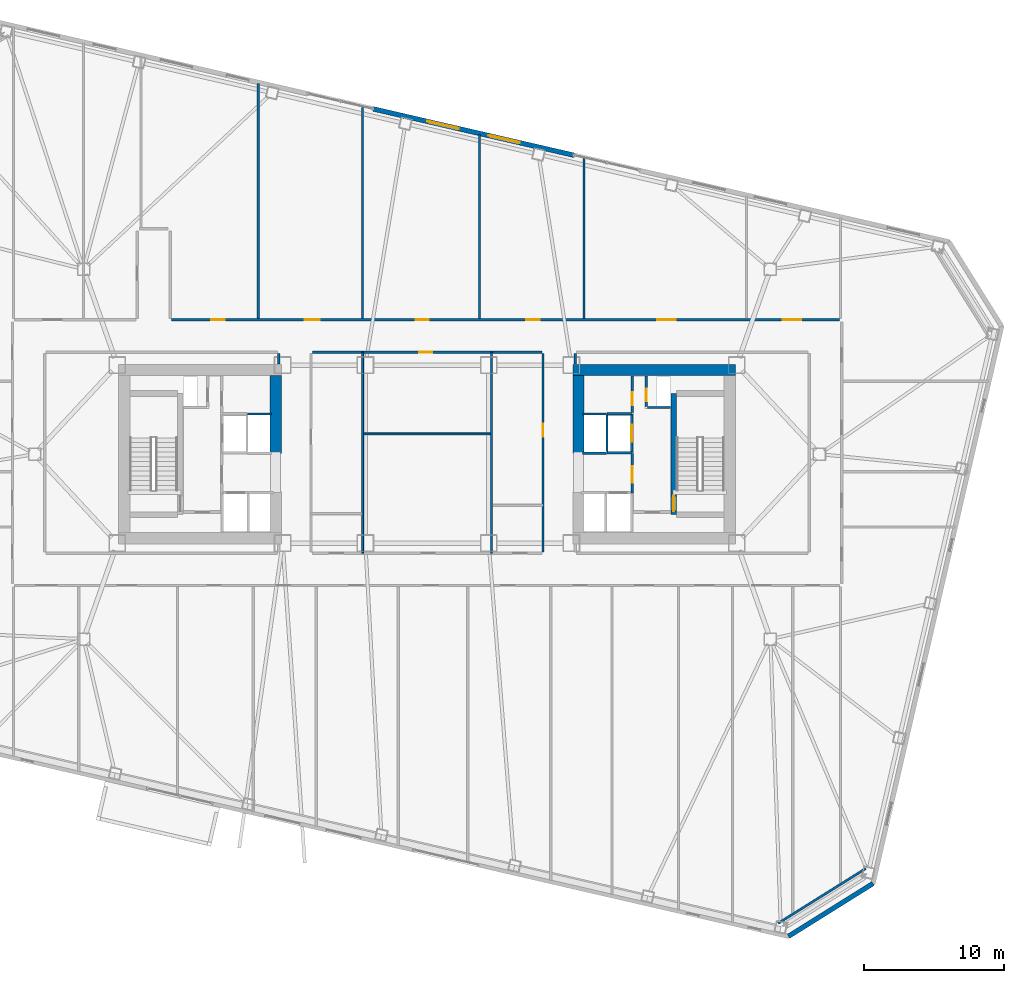
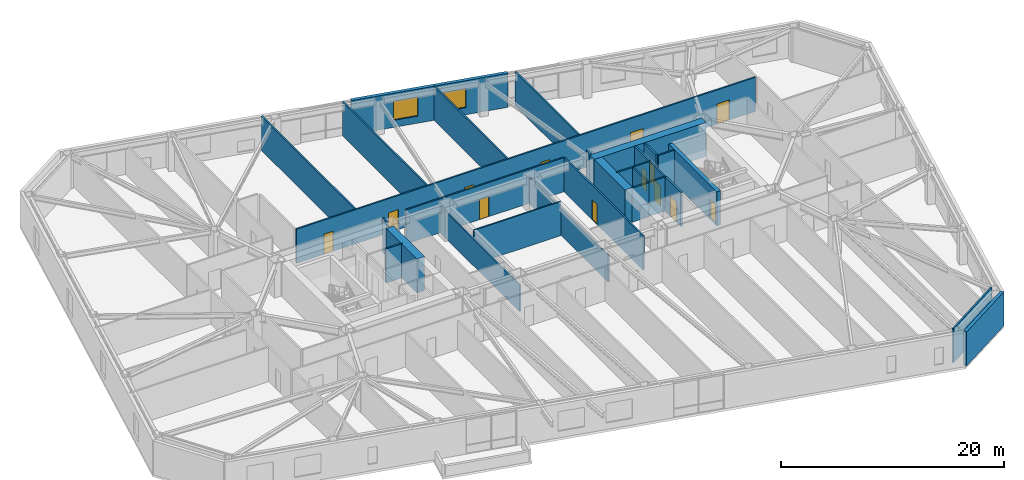
# One storey, part 15 of 22: 30 walls, 13 doors, 2 windows, 15 openings.
"""IFC4 building model written with IfcOpenShell, lengths in metres."""

from ifc_helpers import new_model, si_unit, direction, frame, frame_2d, origin, place, context, subcontext, project, spatial, rectangle, extrude, material, layer, layer_set, type_object, element, fill, save


model = new_model("IFC4")

# Units and contexts
model_context = context("Model", 3, precision=1e-05, world=origin(), true_north=direction((0.0, 1.0)))
body_context = subcontext(model_context, "Body", "Model", "MODEL_VIEW")
ifc_project = project(units=[si_unit("LENGTHUNIT", "METRE"), si_unit("AREAUNIT", "SQUARE_METRE"), si_unit("VOLUMEUNIT", "CUBIC_METRE"), si_unit("PLANEANGLEUNIT", "RADIAN"), si_unit("MASSUNIT", "GRAM", prefix="KILO")], contexts=[model_context])

# Site, building, storey
site_placement = place(None, origin())
site = spatial("IfcSite", under=ifc_project, at=site_placement, CompositionType="ELEMENT")
building_placement = place(site_placement, origin())
building = spatial("IfcBuilding", under=site, at=building_placement, Name="Tavrogorsk Clinical Tower", CompositionType="ELEMENT")
storey_placement = place(building_placement, frame((0.0, 0.0, 55.39990234375)))
storey = spatial("IfcBuildingStorey", under=building, at=storey_placement, Name="L11", CompositionType="ELEMENT", Elevation=55.39990234375)

# Wall, opening, door
ifc_material_1 = material(Name="Concrete B60", Category="concrete")
ifc_layer_1 = layer(ifc_material_1, 0.199951171875)
ifc_layer_set_1 = layer_set([ifc_layer_1], Name="Concrete B60")
wall_type_1 = type_object("IfcWallType", Name="CoreFireWall_200", PredefinedType="SOLIDWALL", material=ifc_layer_set_1)
wall_1_placement = place(storey_placement, frame((14.639892578125, 2.9599609375, 0.0), z_axis=(0.0, 0.0, 1.0), x_axis=(0.0, 1.0, 0.0)))
wall_1 = element("IfcWall", 1, at=wall_1_placement, inside=storey, type_object=wall_type_1, Name="L11 Core East North Core Room East Wall", PredefinedType="SOLIDWALL", context=body_context, shape_type="SweptSolid", body=[
    extrude(rectangle(XDim=2.60009765625, YDim=0.199951171875, at=frame_2d((1.300048828125, 0.0))), origin(), (0.0, 0.0, 1.0), 3.739990234375),
])
opening_1_placement = place(wall_1_placement, frame((0.52001953125, 0.0, 0.0)))
opening_1 = element("IfcOpeningElement", 2, at=opening_1_placement, cuts=wall_1, Name="Opening ID-02", PredefinedType="OPENING", context=body_context, shape_type="SweptSolid", body=[
    extrude(rectangle(XDim=0.949951171875, YDim=2.199951171875, at=frame_2d((0.47509765625, 1.10009765625))), frame((0.0, 0.10986328125, 0.0), z_axis=(0.0, -1.0, 0.0), x_axis=(1.0, 0.0, 0.0)), (0.0, 0.0, 1.0), 0.219970703125),
])
ifc_material_2 = material(Name="Laminated timber leaf on aluminium frame", Category="wood")
door_type_1 = type_object("IfcDoorType", Name="InteriorDoor_ID02_950", OperationType="NOTDEFINED", PredefinedType="DOOR", material=ifc_material_2)
door_1_placement = place(opening_1_placement, origin())
door_1 = element("IfcDoor", 3, at=door_1_placement, inside=storey, type_object=door_type_1, Name="L11 Core East Core Telemetry Room Door", OperationType="SINGLE_SWING_LEFT", OverallHeight=2.199951171875, OverallWidth=0.949951171875, PredefinedType="DOOR", context=body_context, shape_type="SweptSolid", body=[
    extrude(rectangle(XDim=0.949951171875, YDim=2.199951171875, at=frame_2d((0.47509765625, 1.10009765625))), frame((0.0, 0.02490234375, 0.0), z_axis=(0.0, -1.0, 0.0), x_axis=(1.0, 0.0, 0.0)), (0.0, 0.0, 1.0), 0.050048828125),
])
fill(opening_1, door_1)

wall_2_placement = place(storey_placement, frame((14.639892578125, -2.780029296875, 0.0), z_axis=(0.0, 0.0, 1.0), x_axis=(0.0, 1.0, 0.0)))
wall_2 = element("IfcWall", 4, at=wall_2_placement, inside=storey, type_object=wall_type_1, Name="L11 Core East Firefighting Lobby Fire Wall", PredefinedType="SOLIDWALL", context=body_context, shape_type="SweptSolid", body=[
    extrude(rectangle(XDim=2.820068359375, YDim=0.199951171875, at=frame_2d((1.41015625, 0.0))), origin(), (0.0, 0.0, 1.0), 3.739990234375),
])
opening_2_placement = place(wall_2_placement, frame((0.72998046875, 0.0, 0.0)))
opening_2 = element("IfcOpeningElement", 5, at=opening_2_placement, cuts=wall_2, Name="Opening FD-01", PredefinedType="OPENING", context=body_context, shape_type="SweptSolid", body=[
    extrude(rectangle(XDim=1.199951171875, YDim=2.199951171875, at=frame_2d((0.60009765625, 1.10009765625))), frame((0.0, 0.10986328125, 0.0), z_axis=(0.0, -1.0, 0.0), x_axis=(1.0, 0.0, 0.0)), (0.0, 0.0, 1.0), 0.219970703125),
])
ifc_material_3 = material(Name="Galvanised steel fire-rated door assembly", Category="steel")
door_type_2 = type_object("IfcDoorType", Name="FireDoor_FD01_1200", OperationType="NOTDEFINED", PredefinedType="DOOR", material=ifc_material_3)
door_2_placement = place(opening_2_placement, origin())
door_2 = element("IfcDoor", 6, at=door_2_placement, inside=storey, type_object=door_type_2, Name="L11 Core East Firefighting Lobby Entry Door", OperationType="SINGLE_SWING_RIGHT", OverallHeight=2.199951171875, OverallWidth=1.199951171875, PredefinedType="DOOR", context=body_context, shape_type="SweptSolid", body=[
    extrude(rectangle(XDim=1.199951171875, YDim=2.199951171875, at=frame_2d((0.60009765625, 1.10009765625))), frame((0.0, 0.02490234375, 0.0), z_axis=(0.0, -1.0, 0.0), x_axis=(1.0, 0.0, 0.0)), (0.0, 0.0, 1.0), 0.050048828125),
])
fill(opening_2, door_2)

# Walls
ifc_material_4 = material(Name="Lightweight concrete blockwork B15", Category="masonry")
ifc_layer_2 = layer(ifc_material_4, 0.139892578125)
ifc_layer_set_2 = layer_set([ifc_layer_2], Name="Lightweight concrete blockwork B15")
wall_type_2 = type_object("IfcWallType", Name="PartitionWall_140", PredefinedType="PARTITIONING", material=ifc_layer_set_2)
for number, where, z_axis, x_axis, name in (
    (7, (-4.60009765625, -7.06494140625, 0.0), (0.0, 0.0, 1.0), (0.0, 1.0, 0.0), "L11 Central Spine Partition 1"),
    (8, (4.60009765625, -7.06494140625, 0.0), (0.0, 0.0, 1.0), (0.0, 1.0, 0.0), "L11 Central Spine Partition 2"),
):
    element("IfcWall", number, at=place(storey_placement, frame(where, z_axis=z_axis, x_axis=x_axis)), inside=storey, type_object=wall_type_2, Name=name, PredefinedType="PARTITIONING", context=body_context, shape_type="SweptSolid", body=[
        extrude(rectangle(XDim=14.329833984375, YDim=0.139892578125, at=frame_2d((7.1650390625, 0.0))), origin(), (0.0, 0.0, 1.0), 2.93505859375),
    ])
wall_3_placement = place(storey_placement, frame((-4.52490234375, 1.449951171875, 0.0), z_axis=(0.0, 0.0, 1.0), x_axis=(1.0, 0.0, 0.0)))
element("IfcWall", 9, at=wall_3_placement, inside=storey, type_object=wall_type_2, Name="L11 Central Spine Partition 3", PredefinedType="PARTITIONING", context=body_context, shape_type="SweptSolid", body=[
    extrude(rectangle(XDim=9.0498046875, YDim=0.139892578125, at=frame_2d((4.52490234375, 0.0))), origin(), (0.0, 0.0, 1.0), 3.739990234375),
])
ifc_material_5 = material(Name="Lightweight concrete blockwork B15", Category="masonry")
ifc_layer_3 = layer(ifc_material_5, 0.159912109375)
ifc_layer_set_3 = layer_set([ifc_layer_3], Name="Lightweight concrete blockwork B15")
wall_type_3 = type_object("IfcWallType", Name="PartitionWall_160", PredefinedType="PARTITIONING", material=ifc_layer_set_3)
wall_4_placement = place(storey_placement, frame((25.0595703125, -33.46826171875, 0.0), z_axis=(0.0, 0.0, 1.0), x_axis=(0.848043064089, 0.529927317139, 0.0)))
element("IfcWall", 10, at=wall_4_placement, inside=storey, type_object=wall_type_3, Name="L11 Corner Exoskeleton Brace Furring Wall 1", PredefinedType="PARTITIONING", context=body_context, shape_type="SweptSolid", body=[
    extrude(rectangle(XDim=7.353759765625, YDim=0.159912109375, at=frame_2d((3.6767578125, 0.0))), origin(), (0.0, 0.0, 1.0), 3.739990234375),
])

# Wall, openings, doors
wall_5_placement = place(storey_placement, frame((-18.235107421875, 9.580078125, 0.0), z_axis=(0.0, 0.0, 1.0), x_axis=(1.0, 0.0, 0.0)))
wall_5 = element("IfcWall", 11, at=wall_5_placement, inside=storey, type_object=wall_type_3, Name="L11 Corridor Partition 06", PredefinedType="PARTITIONING", context=body_context, shape_type="SweptSolid", body=[
    extrude(rectangle(XDim=47.650146484375, YDim=0.159912109375, at=frame_2d((23.8251953125, 0.0))), origin(), (0.0, 0.0, 1.0), 3.739990234375),
])
opening_3_placement = place(wall_5_placement, frame((2.85400390625, 0.0, 0.0)))
opening_3 = element("IfcOpeningElement", 12, at=opening_3_placement, cuts=wall_5, Name="Opening ID-02", PredefinedType="OPENING", context=body_context, shape_type="SweptSolid", body=[
    extrude(rectangle(XDim=0.949951171875, YDim=2.199951171875, at=frame_2d((0.47509765625, 1.10009765625))), frame((0.0, 0.08984375, 0.0), z_axis=(0.0, -1.0, 0.0), x_axis=(1.0, 0.0, 0.0)), (0.0, 0.0, 1.0), 0.179931640625),
])
opening_4_placement = place(wall_5_placement, frame((9.52001953125, 0.0, 0.0)))
opening_4 = element("IfcOpeningElement", 13, at=opening_4_placement, cuts=wall_5, Name="Opening ID-04", PredefinedType="OPENING", context=body_context, shape_type="SweptSolid", body=[
    extrude(rectangle(XDim=1.050048828125, YDim=2.199951171875, at=frame_2d((0.52490234375, 1.10009765625))), frame((0.0, 0.08984375, 0.0), z_axis=(0.0, -1.0, 0.0), x_axis=(1.0, 0.0, 0.0)), (0.0, 0.0, 1.0), 0.179931640625),
])
opening_5_placement = place(wall_5_placement, frame((17.419921875, 0.0, 0.0)))
opening_5 = element("IfcOpeningElement", 14, at=opening_5_placement, cuts=wall_5, Name="Opening ID-02", PredefinedType="OPENING", context=body_context, shape_type="SweptSolid", body=[
    extrude(rectangle(XDim=0.949951171875, YDim=2.199951171875, at=frame_2d((0.47509765625, 1.10009765625))), frame((0.0, 0.08984375, 0.0), z_axis=(0.0, -1.0, 0.0), x_axis=(1.0, 0.0, 0.0)), (0.0, 0.0, 1.0), 0.179931640625),
])
opening_6_placement = place(wall_5_placement, frame((25.320068359375, 0.0, 0.0)))
opening_6 = element("IfcOpeningElement", 15, at=opening_6_placement, cuts=wall_5, Name="Opening ID-02", PredefinedType="OPENING", context=body_context, shape_type="SweptSolid", body=[
    extrude(rectangle(XDim=0.949951171875, YDim=2.199951171875, at=frame_2d((0.47509765625, 1.10009765625))), frame((0.0, 0.08984375, 0.0), z_axis=(0.0, -1.0, 0.0), x_axis=(1.0, 0.0, 0.0)), (0.0, 0.0, 1.0), 0.179931640625),
])
opening_7_placement = place(wall_5_placement, frame((34.669921875, 0.0, 0.0)))
opening_7 = element("IfcOpeningElement", 16, at=opening_7_placement, cuts=wall_5, Name="Opening ID-01", PredefinedType="OPENING", context=body_context, shape_type="SweptSolid", body=[
    extrude(rectangle(XDim=1.300048828125, YDim=2.199951171875, at=frame_2d((0.64990234375, 1.10009765625))), frame((0.0, 0.08984375, 0.0), z_axis=(0.0, -1.0, 0.0), x_axis=(1.0, 0.0, 0.0)), (0.0, 0.0, 1.0), 0.179931640625),
])
opening_8_placement = place(wall_5_placement, frame((43.6259765625, 0.0, 0.0)))
opening_8 = element("IfcOpeningElement", 17, at=opening_8_placement, cuts=wall_5, Name="Opening ID-01", PredefinedType="OPENING", context=body_context, shape_type="SweptSolid", body=[
    extrude(rectangle(XDim=1.300048828125, YDim=2.199951171875, at=frame_2d((0.64990234375, 1.10009765625))), frame((0.0, 0.08984375, 0.0), z_axis=(0.0, -1.0, 0.0), x_axis=(1.0, 0.0, 0.0)), (0.0, 0.0, 1.0), 0.179931640625),
])
ifc_material_6 = material(Name="Antibacterial HPL consultation door on aluminium frame", Category="aluminium")
door_type_3 = type_object("IfcDoorType", Name="ConsultDoor_ID04_1050", OperationType="NOTDEFINED", PredefinedType="DOOR", material=ifc_material_6)
door_3_placement = place(opening_4_placement, origin())
door_3 = element("IfcDoor", 18, at=door_3_placement, inside=storey, type_object=door_type_3, Name="L11 North Diagnostic Ultrasound Suite 02B Door", OperationType="SINGLE_SWING_RIGHT", OverallHeight=2.199951171875, OverallWidth=1.050048828125, PredefinedType="DOOR", context=body_context, shape_type="SweptSolid", body=[
    extrude(rectangle(XDim=1.050048828125, YDim=2.199951171875, at=frame_2d((0.52490234375, 1.10009765625))), frame((0.0, 0.02490234375, 0.0), z_axis=(0.0, -1.0, 0.0), x_axis=(1.0, 0.0, 0.0)), (0.0, 0.0, 1.0), 0.050048828125),
])
fill(opening_4, door_3)
door_4_placement = place(opening_3_placement, origin())
door_4 = element("IfcDoor", 19, at=door_4_placement, inside=storey, type_object=door_type_1, Name="L11 North Physician Consultation Office 02A Door", OperationType="SINGLE_SWING_LEFT", OverallHeight=2.199951171875, OverallWidth=0.949951171875, PredefinedType="DOOR", context=body_context, shape_type="SweptSolid", body=[
    extrude(rectangle(XDim=0.949951171875, YDim=2.199951171875, at=frame_2d((0.47509765625, 1.10009765625))), frame((0.0, 0.02490234375, 0.0), z_axis=(0.0, -1.0, 0.0), x_axis=(1.0, 0.0, 0.0)), (0.0, 0.0, 1.0), 0.050048828125),
])
fill(opening_3, door_4)
door_5_placement = place(opening_5_placement, origin())
door_5 = element("IfcDoor", 20, at=door_5_placement, inside=storey, type_object=door_type_1, Name="L11 North Patient & Family Quiet Lounge 03A Door", OperationType="SINGLE_SWING_LEFT", OverallHeight=2.199951171875, OverallWidth=0.949951171875, PredefinedType="DOOR", context=body_context, shape_type="SweptSolid", body=[
    extrude(rectangle(XDim=0.949951171875, YDim=2.199951171875, at=frame_2d((0.47509765625, 1.10009765625))), frame((0.0, 0.02490234375, 0.0), z_axis=(0.0, -1.0, 0.0), x_axis=(1.0, 0.0, 0.0)), (0.0, 0.0, 1.0), 0.050048828125),
])
fill(opening_5, door_5)
door_6_placement = place(opening_6_placement, origin())
door_6 = element("IfcDoor", 21, at=door_6_placement, inside=storey, type_object=door_type_1, Name="L11 North Physiotherapy Rehab Studio 03B Door", OperationType="SINGLE_SWING_RIGHT", OverallHeight=2.199951171875, OverallWidth=0.949951171875, PredefinedType="DOOR", context=body_context, shape_type="SweptSolid", body=[
    extrude(rectangle(XDim=0.949951171875, YDim=2.199951171875, at=frame_2d((0.47509765625, 1.10009765625))), frame((0.0, 0.02490234375, 0.0), z_axis=(0.0, -1.0, 0.0), x_axis=(1.0, 0.0, 0.0)), (0.0, 0.0, 1.0), 0.050048828125),
])
fill(opening_6, door_6)
ifc_material_7 = material(Name="Antibacterial HPL medical leaf on aluminium frame", Category="aluminium")
door_type_4 = type_object("IfcDoorType", Name="WardBedDoor_ID01_1300", OperationType="NOTDEFINED", PredefinedType="DOOR", material=ifc_material_7)
door_7_placement = place(opening_7_placement, origin())
door_7 = element("IfcDoor", 22, at=door_7_placement, inside=storey, type_object=door_type_4, Name="L11 North Acute Isolation Suite 04 Door", OperationType="SINGLE_SWING_LEFT", OverallHeight=2.199951171875, OverallWidth=1.300048828125, PredefinedType="DOOR", context=body_context, shape_type="SweptSolid", body=[
    extrude(rectangle(XDim=1.300048828125, YDim=2.199951171875, at=frame_2d((0.64990234375, 1.10009765625))), frame((0.0, 0.02490234375, 0.0), z_axis=(0.0, -1.0, 0.0), x_axis=(1.0, 0.0, 0.0)), (0.0, 0.0, 1.0), 0.050048828125),
])
fill(opening_7, door_7)
door_8_placement = place(opening_8_placement, origin())
door_8 = element("IfcDoor", 23, at=door_8_placement, inside=storey, type_object=door_type_4, Name="L11 North Sub-Acute Recovery Ward 05 Door", OperationType="SINGLE_SWING_RIGHT", OverallHeight=2.199951171875, OverallWidth=1.300048828125, PredefinedType="DOOR", context=body_context, shape_type="SweptSolid", body=[
    extrude(rectangle(XDim=1.300048828125, YDim=2.199951171875, at=frame_2d((0.64990234375, 1.10009765625))), frame((0.0, 0.02490234375, 0.0), z_axis=(0.0, -1.0, 0.0), x_axis=(1.0, 0.0, 0.0)), (0.0, 0.0, 1.0), 0.050048828125),
])
fill(opening_8, door_8)

# Wall
wall_6_placement = place(storey_placement, frame((10.580078125, 7.18505859375, 0.0), z_axis=(0.0, 0.0, 1.0), x_axis=(0.0, -1.0, 0.0)))
element("IfcWall", 24, at=wall_6_placement, inside=storey, type_object=wall_type_3, Name="L11 Corridor Partition 10", PredefinedType="PARTITIONING", context=body_context, shape_type="SweptSolid", body=[
    extrude(rectangle(XDim=0.76513671875, YDim=0.159912109375, at=frame_2d((0.382568359375, 0.0))), origin(), (0.0, 0.0, 1.0), 3.739990234375),
])

# Wall, opening, door
wall_7_placement = place(storey_placement, frame((8.27001953125, -6.985107421875, 0.0), z_axis=(0.0, 0.0, 1.0), x_axis=(0.0, 1.0, 0.0)))
wall_7 = element("IfcWall", 25, at=wall_7_placement, inside=storey, type_object=wall_type_3, Name="L11 Corridor Partition 14", PredefinedType="PARTITIONING", context=body_context, shape_type="SweptSolid", body=[
    extrude(rectangle(XDim=14.170166015625, YDim=0.159912109375, at=frame_2d((7.0849609375, 0.0))), origin(), (0.0, 0.0, 1.0), 3.739990234375),
])
opening_9_placement = place(wall_7_placement, frame((8.2109375, 0.0, 0.0)))
opening_9 = element("IfcOpeningElement", 26, at=opening_9_placement, cuts=wall_7, Name="Opening ID-02", PredefinedType="OPENING", context=body_context, shape_type="SweptSolid", body=[
    extrude(rectangle(XDim=0.949951171875, YDim=2.199951171875, at=frame_2d((0.47509765625, 1.10009765625))), frame((0.0, 0.08984375, 0.0), z_axis=(0.0, -1.0, 0.0), x_axis=(1.0, 0.0, 0.0)), (0.0, 0.0, 1.0), 0.179931640625),
])
door_9_placement = place(opening_9_placement, origin())
door_9 = element("IfcDoor", 27, at=door_9_placement, inside=storey, type_object=door_type_1, Name="L11 Attending Physician Office Door", OperationType="SINGLE_SWING_RIGHT", OverallHeight=2.199951171875, OverallWidth=0.949951171875, PredefinedType="DOOR", context=body_context, shape_type="SweptSolid", body=[
    extrude(rectangle(XDim=0.949951171875, YDim=2.199951171875, at=frame_2d((0.47509765625, 1.10009765625))), frame((0.0, 0.02490234375, 0.0), z_axis=(0.0, -1.0, 0.0), x_axis=(1.0, 0.0, 0.0)), (0.0, 0.0, 1.0), 0.050048828125),
])
fill(opening_9, door_9)

wall_8_placement = place(storey_placement, frame((8.18505859375, 7.27001953125, 0.0), z_axis=(0.0, 0.0, 1.0), x_axis=(-1.0, 0.0, 0.0)))
wall_8 = element("IfcWall", 28, at=wall_8_placement, inside=storey, type_object=wall_type_3, Name="L11 Corridor Partition 15", PredefinedType="PARTITIONING", context=body_context, shape_type="SweptSolid", body=[
    extrude(rectangle(XDim=16.3701171875, YDim=0.159912109375, at=frame_2d((8.18505859375, 0.0))), origin(), (0.0, 0.0, 1.0), 3.739990234375),
])
opening_10_placement = place(wall_8_placement, frame((7.794921875, 0.0, 0.0)))
opening_10 = element("IfcOpeningElement", 29, at=opening_10_placement, cuts=wall_8, Name="Opening ID-02", PredefinedType="OPENING", context=body_context, shape_type="SweptSolid", body=[
    extrude(rectangle(XDim=0.949951171875, YDim=2.199951171875, at=frame_2d((0.47509765625, 1.10009765625))), frame((0.0, 0.08984375, 0.0), z_axis=(0.0, -1.0, 0.0), x_axis=(1.0, 0.0, 0.0)), (0.0, 0.0, 1.0), 0.179931640625),
])
door_10_placement = place(opening_10_placement, origin())
door_10 = element("IfcDoor", 30, at=door_10_placement, inside=storey, type_object=door_type_1, Name="L11 Nurses' Station & Triage Hub Door", OperationType="SINGLE_SWING_RIGHT", OverallHeight=2.199951171875, OverallWidth=0.949951171875, PredefinedType="DOOR", context=body_context, shape_type="SweptSolid", body=[
    extrude(rectangle(XDim=0.949951171875, YDim=2.199951171875, at=frame_2d((0.47509765625, 1.10009765625))), frame((0.0, 0.02490234375, 0.0), z_axis=(0.0, -1.0, 0.0), x_axis=(1.0, 0.0, 0.0)), (0.0, 0.0, 1.0), 0.050048828125),
])
fill(opening_10, door_10)

# Walls
wall_9_placement = place(storey_placement, frame((-10.580078125, 6.419921875, 0.0), z_axis=(0.0, 0.0, 1.0), x_axis=(0.0, 1.0, 0.0)))
element("IfcWall", 31, at=wall_9_placement, inside=storey, type_object=wall_type_3, Name="L11 Corridor Partition 19", PredefinedType="PARTITIONING", context=body_context, shape_type="SweptSolid", body=[
    extrude(rectangle(XDim=0.76513671875, YDim=0.159912109375, at=frame_2d((0.382568359375, 0.0))), origin(), (0.0, 0.0, 1.0), 3.739990234375),
])
wall_10_placement = place(storey_placement, frame((-4.60009765625, 9.6650390625, 0.0), z_axis=(0.0, 0.0, 1.0), x_axis=(0.0, 1.0, 0.0)))
element("IfcWall", 32, at=wall_10_placement, inside=storey, type_object=wall_type_3, Name="L11 North Room Partition 2", PredefinedType="PARTITIONING", context=body_context, shape_type="SweptSolid", body=[
    extrude(rectangle(XDim=15.070068359375, YDim=0.159912109375, at=frame_2d((7.53515625, 0.0))), origin(), (0.0, 0.0, 1.0), 3.739990234375),
])
wall_11_placement = place(storey_placement, frame((11.199951171875, 9.6650390625, 0.0), z_axis=(0.0, 0.0, 1.0), x_axis=(0.0, 1.0, 0.0)))
element("IfcWall", 33, at=wall_11_placement, inside=storey, type_object=wall_type_3, Name="L11 North Room Partition 3", PredefinedType="PARTITIONING", context=body_context, shape_type="SweptSolid", body=[
    extrude(rectangle(XDim=11.42236328125, YDim=0.159912109375, at=frame_2d((5.711181640625, 0.0))), origin(), (0.0, 0.0, 1.0), 3.739990234375),
])
wall_12_placement = place(storey_placement, frame((-12.050048828125, 9.6650390625, 0.0), z_axis=(0.0, 0.0, 1.0), x_axis=(0.0, 1.0, 0.0)))
element("IfcWall", 34, at=wall_12_placement, inside=storey, type_object=wall_type_3, Name="L11 North Sub-Partition 2", PredefinedType="PARTITIONING", context=body_context, shape_type="SweptSolid", body=[
    extrude(rectangle(XDim=16.7900390625, YDim=0.159912109375, at=frame_2d((8.39501953125, 0.0))), origin(), (0.0, 0.0, 1.0), 3.739990234375),
])
wall_13_placement = place(storey_placement, frame((3.75, 9.6650390625, 0.0), z_axis=(0.0, 0.0, 1.0), x_axis=(0.0, 1.0, 0.0)))
element("IfcWall", 35, at=wall_13_placement, inside=storey, type_object=wall_type_3, Name="L11 North Sub-Partition 3", PredefinedType="PARTITIONING", context=body_context, shape_type="SweptSolid", body=[
    extrude(rectangle(XDim=13.14208984375, YDim=0.159912109375, at=frame_2d((6.571044921875, 0.0))), origin(), (0.0, 0.0, 1.0), 3.739990234375),
])

# Wall, openings, windows
ifc_material_8 = material(Name="Precast concrete B45 with limestone cladding", Category="masonry")
ifc_layer_4 = layer(ifc_material_8, 0.340087890625)
ifc_layer_set_4 = layer_set([ifc_layer_4], Name="Precast concrete B45 with limestone cladding")
wall_type_4 = type_object("IfcWallType", Name="PrecastLimestoneWall_340", PredefinedType="STANDARD", material=ifc_layer_set_4)
wall_14_placement = place(storey_placement, frame((10.480712890625, 21.3251953125, 0.0), z_axis=(0.0, 0.0, 1.0), x_axis=(-0.974369353393, 0.2249541357, 0.0)))
wall_14 = element("IfcWall", 36, at=wall_14_placement, inside=storey, type_object=wall_type_4, Name="L11 N Limestone Facade Wall 2", PredefinedType="STANDARD", context=body_context, shape_type="SweptSolid", body=[
    extrude(rectangle(XDim=14.697021484375, YDim=0.340087890625, at=frame_2d((7.3486328125, 0.0))), origin(), (0.0, 0.0, 1.0), 3.739990234375),
])
opening_11_placement = place(wall_14_placement, frame((8.44091796875, 0.0, 0.77001953125)))
opening_11 = element("IfcOpeningElement", 37, at=opening_11_placement, cuts=wall_14, Name="Opening WN-12", PredefinedType="OPENING", context=body_context, shape_type="SweptSolid", body=[
    extrude(rectangle(XDim=2.300048828125, YDim=2.10009765625, at=frame_2d((1.14990234375, 1.050048828125))), frame((0.0, 0.179931640625, 0.0), z_axis=(0.0, -1.0, 0.0), x_axis=(1.0, 0.0, 0.0)), (0.0, 0.0, 1.0), 0.360107421875),
])
opening_12_placement = place(wall_14_placement, frame((3.956298828125, 0.0, 0.77001953125)))
opening_12 = element("IfcOpeningElement", 38, at=opening_12_placement, cuts=wall_14, Name="Opening WN-12", PredefinedType="OPENING", context=body_context, shape_type="SweptSolid", body=[
    extrude(rectangle(XDim=2.300048828125, YDim=2.10009765625, at=frame_2d((1.14990234375, 1.050048828125))), frame((0.0, 0.179931640625, 0.0), z_axis=(0.0, -1.0, 0.0), x_axis=(1.0, 0.0, 0.0)), (0.0, 0.0, 1.0), 0.360107421875),
])
ifc_material_9 = material(Name="Thermally broken aluminium frame and triple IGU", Category="aluminium")
window_type = type_object("IfcWindowType", Name="RecoveryWin_2300x2100", PartitioningType="DOUBLE_PANEL_VERTICAL", PredefinedType="WINDOW", material=ifc_material_9)
window_1_placement = place(opening_11_placement, origin())
window_1 = element("IfcWindow", 39, at=window_1_placement, inside=storey, type_object=window_type, Name="L11 N Chicago Window 05", OverallHeight=2.10009765625, OverallWidth=2.300048828125, PartitioningType="SINGLE_PANEL", PredefinedType="WINDOW", context=body_context, shape_type="SweptSolid", body=[
    extrude(rectangle(XDim=2.300048828125, YDim=2.10009765625, at=frame_2d((1.14990234375, 1.050048828125))), frame((0.0, 0.030029296875, 0.0), z_axis=(0.0, -1.0, 0.0), x_axis=(1.0, 0.0, 0.0)), (0.0, 0.0, 1.0), 0.06005859375),
])
fill(opening_11, window_1)
window_2_placement = place(opening_12_placement, origin())
window_2 = element("IfcWindow", 40, at=window_2_placement, inside=storey, type_object=window_type, Name="L11 N Chicago Window 06", OverallHeight=2.10009765625, OverallWidth=2.300048828125, PartitioningType="SINGLE_PANEL", PredefinedType="WINDOW", context=body_context, shape_type="SweptSolid", body=[
    extrude(rectangle(XDim=2.300048828125, YDim=2.10009765625, at=frame_2d((1.14990234375, 1.050048828125))), frame((0.0, 0.030029296875, 0.0), z_axis=(0.0, -1.0, 0.0), x_axis=(1.0, 0.0, 0.0)), (0.0, 0.0, 1.0), 0.06005859375),
])
fill(opening_12, window_2)

# Walls
wall_15_placement = place(storey_placement, frame((25.78759765625, -34.406494140625, 0.0), z_axis=(0.0, 0.0, 1.0), x_axis=(0.848046504656, 0.529921811158, 0.0)))
element("IfcWall", 41, at=wall_15_placement, inside=storey, type_object=wall_type_4, Name="L11 Chamfered Corner Wall 1", PredefinedType="STANDARD", context=body_context, shape_type="SweptSolid", body=[
    extrude(rectangle(XDim=7.11328125, YDim=0.340087890625, at=frame_2d((3.556640625, 0.0))), origin(), (0.0, 0.0, 1.0), 3.739990234375),
])
ifc_material_10 = material(Name="Lightweight concrete blockwork B25", Category="masonry")
ifc_layer_5 = layer(ifc_material_10, 0.159912109375)
ifc_layer_set_5 = layer_set([ifc_layer_5], Name="Lightweight concrete blockwork B25")
wall_type_5 = type_object("IfcWallType", Name="ShaftWall_160", PredefinedType="PARTITIONING", material=ifc_layer_set_5)
wall_16_placement = place(storey_placement, frame((-12.820068359375, 2.860107421875, 0.0), z_axis=(0.0, 0.0, 1.0), x_axis=(1.0, 0.0, 0.0)))
element("IfcWall", 42, at=wall_16_placement, inside=storey, type_object=wall_type_5, Name="L11 LP-H1 High-Zone Lift Rear Wall", PredefinedType="PARTITIONING", context=body_context, shape_type="SweptSolid", body=[
    extrude(rectangle(XDim=1.719970703125, YDim=0.159912109375, at=frame_2d((0.85986328125, 0.0))), origin(), (0.0, 0.0, 1.0), 3.739990234375),
])

# Wall, opening, door
wall_17_placement = place(storey_placement, frame((14.60009765625, 0.1201171875, 0.0), z_axis=(0.0, 0.0, 1.0), x_axis=(0.0, 1.0, 0.0)))
wall_17 = element("IfcWall", 43, at=wall_17_placement, inside=storey, type_object=wall_type_5, Name="L11 FFL-E Firefighting Lift Front Wall", PredefinedType="PARTITIONING", context=body_context, shape_type="SweptSolid", body=[
    extrude(rectangle(XDim=2.739990234375, YDim=0.159912109375, at=frame_2d((1.3701171875, 0.0))), origin(), (0.0, 0.0, 1.0), 3.739990234375),
])
opening_13_placement = place(wall_17_placement, frame((0.77001953125, 0.0, 0.0)))
opening_13 = element("IfcOpeningElement", 44, at=opening_13_placement, cuts=wall_17, Name="Opening LD", PredefinedType="OPENING", context=body_context, shape_type="SweptSolid", body=[
    extrude(rectangle(XDim=1.199951171875, YDim=2.199951171875, at=frame_2d((0.60009765625, 1.10009765625))), frame((0.0, 0.08984375, 0.0), z_axis=(0.0, -1.0, 0.0), x_axis=(1.0, 0.0, 0.0)), (0.0, 0.0, 1.0), 0.179931640625),
])
ifc_material_11 = material(Name="Brushed stainless steel AISI 304 sliding doors", Category="steel")
door_type_5 = type_object("IfcDoorType", Name="LiftLandingDoor_LD_1200", OperationType="SLIDING_TO_LEFT", PredefinedType="DOOR", material=ifc_material_11)
door_11_placement = place(opening_13_placement, origin())
door_11 = element("IfcDoor", 45, at=door_11_placement, inside=storey, type_object=door_type_5, Name="L11 FFL-E Sliding Lift Landing Door", OperationType="SLIDING_TO_LEFT", OverallHeight=2.199951171875, OverallWidth=1.199951171875, PredefinedType="DOOR", context=body_context, shape_type="SweptSolid", body=[
    extrude(rectangle(XDim=1.199951171875, YDim=2.199951171875, at=frame_2d((0.60009765625, 1.10009765625))), frame((0.0, 0.02490234375, 0.0), z_axis=(0.0, -1.0, 0.0), x_axis=(1.0, 0.0, 0.0)), (0.0, 0.0, 1.0), 0.050048828125),
])
fill(opening_13, door_11)

# Walls
for number, where, z_axis, x_axis, name in (
    (46, (12.840087890625, 0.10009765625, 0.0), (0.0, 0.0, 1.0), (1.0, 0.0, 0.0), "L11 FFL-E Shaft South Wall"),
    (47, (12.840087890625, 2.8798828125, 0.0), (0.0, 0.0, 1.0), (1.0, 0.0, 0.0), "L11 FFL-E Shaft North Wall"),
):
    element("IfcWall", number, at=place(storey_placement, frame(where, z_axis=z_axis, x_axis=x_axis)), inside=storey, type_object=wall_type_5, Name=name, PredefinedType="PARTITIONING", context=body_context, shape_type="SweptSolid", body=[
        extrude(rectangle(XDim=1.760009765625, YDim=0.159912109375, at=frame_2d((0.8798828125, 0.0))), origin(), (0.0, 0.0, 1.0), 3.739990234375),
    ])
wall_18_placement = place(storey_placement, frame((12.840087890625, 0.179931640625, 0.0), z_axis=(0.0, 0.0, 1.0), x_axis=(0.0, 1.0, 0.0)))
element("IfcWall", 48, at=wall_18_placement, inside=storey, type_object=wall_type_5, Name="L11 FFL-E Shaft Back Wall", PredefinedType="PARTITIONING", context=body_context, shape_type="SweptSolid", body=[
    extrude(rectangle(XDim=2.6201171875, YDim=0.159912109375, at=frame_2d((1.31005859375, 0.0))), origin(), (0.0, 0.0, 1.0), 3.739990234375),
])
for number, where, z_axis, x_axis, name in (
    (49, (11.10009765625, 0.06005859375, 0.0), (0.0, 0.0, 1.0), (1.0, 0.0, 0.0), "L11 LP-H2 High-Zone Lift Portal Wall"),
    (50, (11.10009765625, 2.860107421875, 0.0), (0.0, 0.0, 1.0), (1.0, 0.0, 0.0), "L11 LP-H2 High-Zone Lift Rear Wall"),
):
    element("IfcWall", number, at=place(storey_placement, frame(where, z_axis=z_axis, x_axis=x_axis)), inside=storey, type_object=wall_type_5, Name=name, PredefinedType="PARTITIONING", context=body_context, shape_type="SweptSolid", body=[
        extrude(rectangle(XDim=1.719970703125, YDim=0.159912109375, at=frame_2d((0.85986328125, 0.0))), origin(), (0.0, 0.0, 1.0), 3.739990234375),
    ])

# Wall, opening, door
wall_19_placement = place(storey_placement, frame((15.639892578125, 3.405029296875, 0.0), z_axis=(0.0, 0.0, 1.0), x_axis=(0.0, 1.0, 0.0)))
wall_19 = element("IfcWall", 51, at=wall_19_placement, inside=storey, type_object=wall_type_5, Name="L11 Core East Riser West Wall", PredefinedType="PARTITIONING", context=body_context, shape_type="SweptSolid", body=[
    extrude(rectangle(XDim=2.155029296875, YDim=0.159912109375, at=frame_2d((1.07763671875, 0.0))), origin(), (0.0, 0.0, 1.0), 3.739990234375),
])
opening_14_placement = place(wall_19_placement, frame((0.35009765625, 0.0, 0.0)))
opening_14 = element("IfcOpeningElement", 52, at=opening_14_placement, cuts=wall_19, Name="Opening FD-02", PredefinedType="OPENING", context=body_context, shape_type="SweptSolid", body=[
    extrude(rectangle(XDim=0.89990234375, YDim=2.199951171875, at=frame_2d((0.449951171875, 1.10009765625))), frame((0.0, 0.08984375, 0.0), z_axis=(0.0, -1.0, 0.0), x_axis=(1.0, 0.0, 0.0)), (0.0, 0.0, 1.0), 0.179931640625),
])
ifc_material_12 = material(Name="Galvanised steel fire-rated door assembly", Category="steel")
door_type_6 = type_object("IfcDoorType", Name="FireDoor_FD02_900", OperationType="NOTDEFINED", PredefinedType="DOOR", material=ifc_material_12)
door_12_placement = place(opening_14_placement, origin())
door_12 = element("IfcDoor", 53, at=door_12_placement, inside=storey, type_object=door_type_6, Name="L11 Core East Electrical Riser Access Door", OperationType="SINGLE_SWING_LEFT", OverallHeight=2.199951171875, OverallWidth=0.89990234375, PredefinedType="DOOR", context=body_context, shape_type="SweptSolid", body=[
    extrude(rectangle(XDim=0.89990234375, YDim=2.199951171875, at=frame_2d((0.449951171875, 1.10009765625))), frame((0.0, 0.02490234375, 0.0), z_axis=(0.0, -1.0, 0.0), x_axis=(1.0, 0.0, 0.0)), (0.0, 0.0, 1.0), 0.050048828125),
])
fill(opening_14, door_12)

# Wall
wall_20_placement = place(storey_placement, frame((15.72509765625, 3.320068359375, 0.0), z_axis=(0.0, 0.0, 1.0), x_axis=(1.0, 0.0, 0.0)))
element("IfcWall", 54, at=wall_20_placement, inside=storey, type_object=wall_type_5, Name="L11 Core East Riser South Wall", PredefinedType="PARTITIONING", context=body_context, shape_type="SweptSolid", body=[
    extrude(rectangle(XDim=1.65478515625, YDim=0.159912109375, at=frame_2d((0.827392578125, 0.0))), origin(), (0.0, 0.0, 1.0), 3.739990234375),
])

# Wall, opening, door
ifc_material_13 = material(Name="Concrete B80", Category="concrete")
ifc_layer_6 = layer(ifc_material_13, 0.39990234375)
ifc_layer_set_6 = layer_set([ifc_layer_6], Name="Concrete B80")
wall_type_6 = type_object("IfcWallType", Name="ShearWall_400", PredefinedType="SHEAR", material=ifc_layer_set_6)
wall_21_placement = place(storey_placement, frame((17.60009765625, -4.324951171875, 0.0), z_axis=(0.0, 0.0, 1.0), x_axis=(0.0, 1.0, 0.0)))
wall_21 = element("IfcWall", 55, at=wall_21_placement, inside=storey, type_object=wall_type_6, Name="L11 Core East Stair Shaft Inner Shear Wall", PredefinedType="SHEAR", context=body_context, shape_type="SweptSolid", body=[
    extrude(rectangle(XDim=8.64990234375, YDim=0.39990234375, at=frame_2d((4.324951171875, 0.0))), origin(), (0.0, 0.0, 1.0), 3.739990234375),
])
opening_15_placement = place(wall_21_placement, frame((0.25, 0.0, 0.0)))
opening_15 = element("IfcOpeningElement", 56, at=opening_15_placement, cuts=wall_21, Name="Opening SD-01", PredefinedType="OPENING", context=body_context, shape_type="SweptSolid", body=[
    extrude(rectangle(XDim=1.10009765625, YDim=2.199951171875, at=frame_2d((0.550048828125, 1.10009765625))), frame((0.0, 0.2099609375, 0.0), z_axis=(0.0, -1.0, 0.0), x_axis=(1.0, 0.0, 0.0)), (0.0, 0.0, 1.0), 0.419921875),
])
ifc_material_14 = material(Name="Galvanised steel smoke-tight fire door assembly", Category="steel")
door_type_7 = type_object("IfcDoorType", Name="StairFireDoor_SD01_1100", OperationType="NOTDEFINED", PredefinedType="DOOR", material=ifc_material_14)
door_13_placement = place(opening_15_placement, origin())
door_13 = element("IfcDoor", 57, at=door_13_placement, inside=storey, type_object=door_type_7, Name="L11 ST-E Exit Stair Door", OperationType="SINGLE_SWING_LEFT", OverallHeight=2.199951171875, OverallWidth=1.10009765625, PredefinedType="DOOR", context=body_context, shape_type="SweptSolid", body=[
    extrude(rectangle(XDim=1.10009765625, YDim=2.199951171875, at=frame_2d((0.550048828125, 1.10009765625))), frame((0.0, 0.02490234375, 0.0), z_axis=(0.0, -1.0, 0.0), x_axis=(1.0, 0.0, 0.0)), (0.0, 0.0, 1.0), 0.050048828125),
])
fill(opening_15, door_13)

# Walls
ifc_material_15 = material(Name="Concrete B80", Category="concrete")
ifc_layer_7 = layer(ifc_material_15, 0.800048828125)
ifc_layer_set_7 = layer_set([ifc_layer_7], Name="Concrete B80")
wall_type_7 = type_object("IfcWallType", Name="ShearWall_800", PredefinedType="SHEAR", material=ifc_layer_set_7)
wall_22_placement = place(storey_placement, frame((-10.800048828125, 0.050048828125, 0.0), z_axis=(0.0, 0.0, 1.0), x_axis=(0.0, 1.0, 0.0)))
element("IfcWall", 58, at=wall_22_placement, inside=storey, type_object=wall_type_7, Name="L11 Core West Inner North Pier", PredefinedType="SHEAR", context=body_context, shape_type="SweptSolid", body=[
    extrude(rectangle(XDim=5.550048828125, YDim=0.800048828125, at=frame_2d((2.77490234375, 0.0))), origin(), (0.0, 0.0, 1.0), 3.739990234375),
])
wall_23_placement = place(storey_placement, frame((10.39990234375, 6.0, 0.0), z_axis=(0.0, 0.0, 1.0), x_axis=(1.0, 0.0, 0.0)))
element("IfcWall", 59, at=wall_23_placement, inside=storey, type_object=wall_type_7, Name="L11 Core East North Shear Wall", PredefinedType="SHEAR", context=body_context, shape_type="SweptSolid", body=[
    extrude(rectangle(XDim=11.60009765625, YDim=0.800048828125, at=frame_2d((5.800048828125, 0.0))), origin(), (0.0, 0.0, 1.0), 3.739990234375),
])
wall_24_placement = place(storey_placement, frame((10.800048828125, 0.050048828125, 0.0), z_axis=(0.0, 0.0, 1.0), x_axis=(0.0, 1.0, 0.0)))
element("IfcWall", 60, at=wall_24_placement, inside=storey, type_object=wall_type_7, Name="L11 Core East Inner North Pier", PredefinedType="SHEAR", context=body_context, shape_type="SweptSolid", body=[
    extrude(rectangle(XDim=5.550048828125, YDim=0.800048828125, at=frame_2d((2.77490234375, 0.0))), origin(), (0.0, 0.0, 1.0), 3.739990234375),
])

save(model, "model.ifc")
